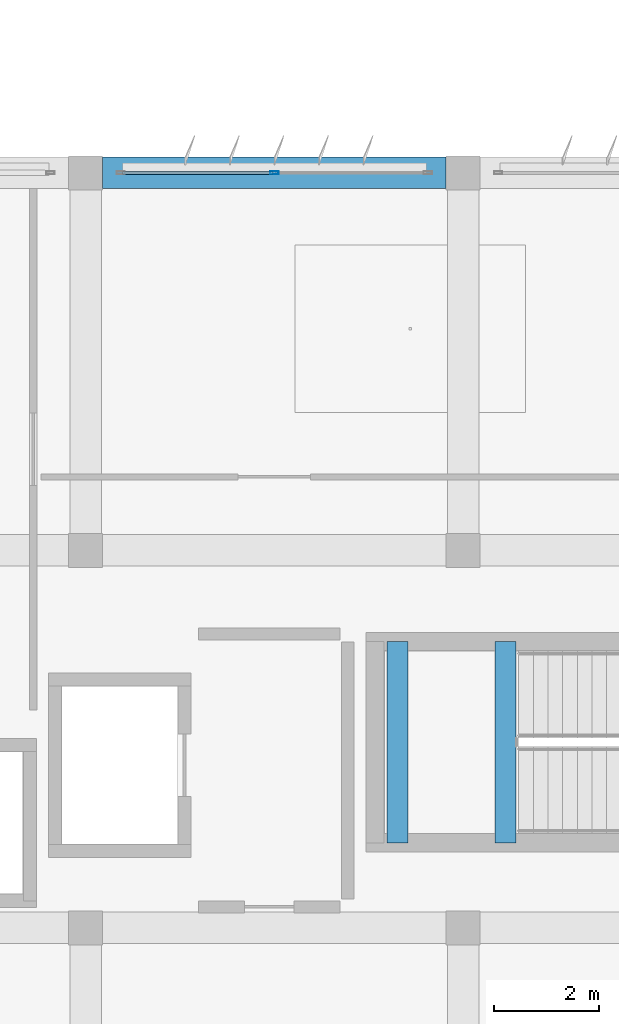
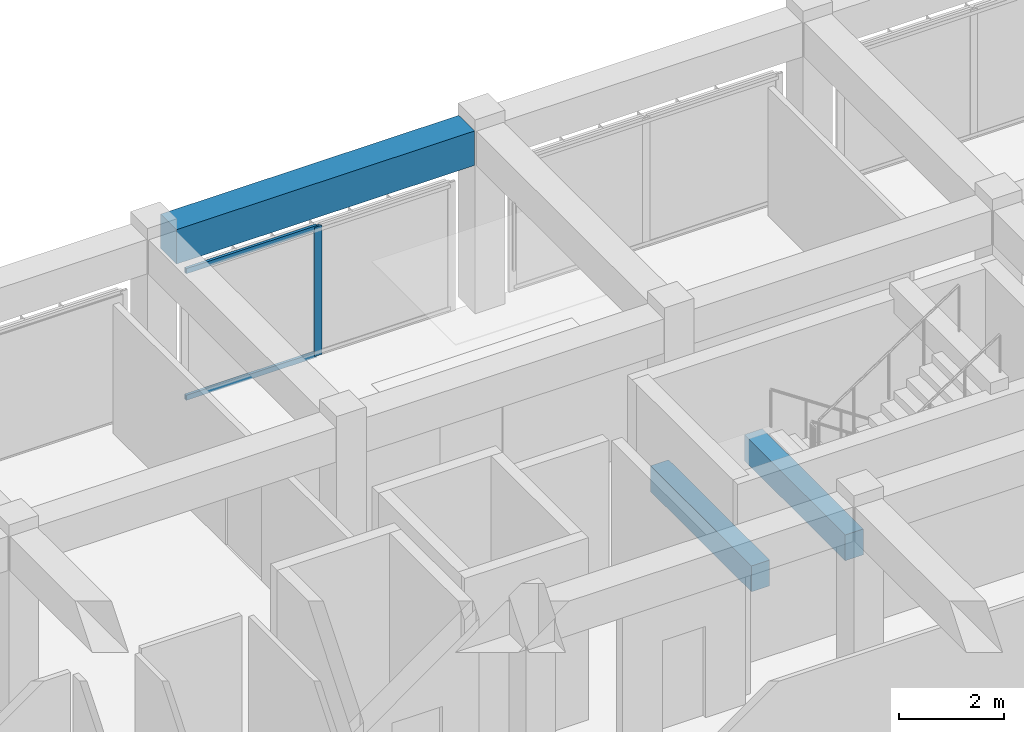
# One storey, part 25 of 56: 3 beams, 3 members, 1 element without a shape of its own.
"""IFC4 building model written with IfcOpenShell, lengths in metres."""

from ifc_helpers import new_model, si_unit, direction, frame, origin, origin_2d, place, context, subcontext, project, spatial, rectangle, hollow_rectangle, extrude, material, material_profile, profile_set, type_object, element, aggregate, save


model = new_model("IFC4")

# Units and contexts
model_context = context("Model", 3, precision=1e-05, world=origin(), true_north=direction((0.0, 1.0)))
body_context = subcontext(model_context, "Body", "Model", "MODEL_VIEW")
ifc_project = project(units=[si_unit("LENGTHUNIT", "METRE"), si_unit("AREAUNIT", "SQUARE_METRE"), si_unit("VOLUMEUNIT", "CUBIC_METRE"), si_unit("PLANEANGLEUNIT", "RADIAN"), si_unit("MASSUNIT", "GRAM", prefix="KILO")], contexts=[model_context])

# Site, building, storey
site_placement = place(None, origin())
site = spatial("IfcSite", under=ifc_project, at=site_placement, CompositionType="ELEMENT")
building_placement = place(site_placement, origin())
building = spatial("IfcBuilding", under=site, at=building_placement, Name="Kazehaya Institute of Natural Sciences", CompositionType="ELEMENT")
storey_placement = place(building_placement, frame((0.0, 0.0, 28.800048828125)))
storey = spatial("IfcBuildingStorey", under=building, at=storey_placement, Name="L06", CompositionType="ELEMENT", Elevation=28.800048828125)

# Beams
ifc_material_1 = material(Name="Concrete Fc36", Category="concrete")
ifc_material_profile_1 = material_profile(ifc_material_1, rectangle(XDim=0.39990234375, YDim=0.60009765625, at=origin_2d()), Name="RC-400x600")
ifc_profile_set_1 = profile_set([ifc_material_profile_1], Name="Concrete Fc36")
beam_type_1 = type_object("IfcBeamType", Name="BM-B-400x600", PredefinedType="BEAM", material=ifc_profile_set_1)
for number, where, z_axis, x_axis, name in (
    (1, (103.75, 22.820068359375, 1.7900390625), (0.0, 1.0, 0.0), (-1.0, 0.0, 0.0), "L06 ST-2 landing beam 1"),
    (2, (105.81005859375, 22.820068359375, 1.7900390625), (0.0, 1.0, 0.0), (-1.0, 0.0, 0.0), "L06 ST-2 landing beam 2"),
):
    element("IfcBeam", number, at=place(storey_placement, frame(where, z_axis=z_axis, x_axis=x_axis)), inside=storey, type_object=beam_type_1, Name=name, PredefinedType="BEAM", context=body_context, shape_type="SweptSolid", body=[
        extrude(rectangle(XDim=0.39990234375, YDim=0.60009765625, at=origin_2d()), origin(), (0.0, 0.0, 1.0), 3.83984375),
    ])
ifc_material_profile_2 = material_profile(ifc_material_1, rectangle(XDim=0.60009765625, YDim=0.800048828125, at=origin_2d()), Name="RC-600x800")
ifc_profile_set_2 = profile_set([ifc_material_profile_2], Name="Concrete Fc36")
beam_type_2 = type_object("IfcBeamType", Name="BM-G-600x800", PredefinedType="BEAM", material=ifc_profile_set_2)
beam_placement = place(storey_placement, frame((98.125, 35.60009765625, 3.829833984375), z_axis=(1.0, 0.0, 0.0), x_axis=(0.0, 1.0, 0.0)))
element("IfcBeam", 3, at=beam_placement, inside=storey, type_object=beam_type_2, Name="L06 primary X girder BMX-L06-978-356", PredefinedType="BEAM", context=body_context, shape_type="SweptSolid", body=[
    extrude(rectangle(XDim=0.60009765625, YDim=0.800048828125, at=origin_2d()), origin(), (0.0, 0.0, 1.0), 6.550048828125),
])

# Curtain wall, members
ifc_material_2 = material(Name="Aluminium alloy A6063S-T5", Category="aluminium")
curtain_wall_type = type_object("IfcCurtainWallType", Name="CW-SYS-04", PredefinedType="NOTDEFINED", material=ifc_material_2)
curtain_wall_placement = place(storey_placement, origin())
curtain_wall = element("IfcCurtainWall", 4, at=curtain_wall_placement, inside=storey, type_object=curtain_wall_type, Name="L06 unitised curtain wall CW-L06-135", PredefinedType="NOTDEFINED")
ifc_material_profile_3 = material_profile(ifc_material_2, hollow_rectangle(XDim=0.06005859375, YDim=0.159912109375, WallThickness=0.00390625, at=origin_2d()), Name="ALU-60x160x4")
ifc_profile_set_3 = profile_set([ifc_material_profile_3], Name="Aluminium alloy A6063S-T5")
member_type_1 = type_object("IfcMemberType", Name="CWM-160", PredefinedType="MULLION", material=ifc_profile_set_3)
member_1_placement = place(storey_placement, frame((101.39990234375, 35.60009765625, 0.0), z_axis=(0.0, 0.0, 1.0), x_axis=(0.0, 1.0, 0.0)))
member_1 = element("IfcMember", 5, at=member_1_placement, type_object=member_type_1, Name="CW04 mullion 2", PredefinedType="MULLION", context=body_context, shape_type="SweptSolid", body=[
    extrude(hollow_rectangle(XDim=0.06005859375, YDim=0.159912109375, WallThickness=0.00390625, at=origin_2d()), origin(), (0.0, 0.0, 1.0), 3.0),
])
ifc_material_profile_4 = material_profile(ifc_material_2, hollow_rectangle(XDim=0.06005859375, YDim=0.1201171875, WallThickness=0.00341796875, at=origin_2d()), Name="ALU-60x120x3.5")
ifc_profile_set_4 = profile_set([ifc_material_profile_4], Name="Aluminium alloy A6063S-T5")
member_type_2 = type_object("IfcMemberType", Name="CWT-120", PredefinedType="USERDEFINED", material=ifc_profile_set_4)
member_2_placement = place(storey_placement, frame((98.5, 35.60009765625, 0.030029296875), z_axis=(1.0, 0.0, 0.0), x_axis=(0.0, 1.0, 0.0)))
member_2 = element("IfcMember", 6, at=member_2_placement, type_object=member_type_2, Name="CW04 transom 1.1", ObjectType="TRANSOM", PredefinedType="USERDEFINED", context=body_context, shape_type="SweptSolid", body=[
    extrude(hollow_rectangle(XDim=0.06005859375, YDim=0.1201171875, WallThickness=0.00341796875, at=origin_2d()), origin(), (0.0, 0.0, 1.0), 2.8701171875),
])
member_3_placement = place(storey_placement, frame((98.5, 35.60009765625, 2.969970703125), z_axis=(1.0, 0.0, 0.0), x_axis=(0.0, 1.0, 0.0)))
member_3 = element("IfcMember", 7, at=member_3_placement, type_object=member_type_2, Name="CW04 transom 1.2", ObjectType="TRANSOM", PredefinedType="USERDEFINED", context=body_context, shape_type="SweptSolid", body=[
    extrude(hollow_rectangle(XDim=0.06005859375, YDim=0.1201171875, WallThickness=0.00341796875, at=origin_2d()), origin(), (0.0, 0.0, 1.0), 2.8701171875),
])
aggregate(curtain_wall, [member_1, member_2, member_3])

save(model, "model.ifc")
